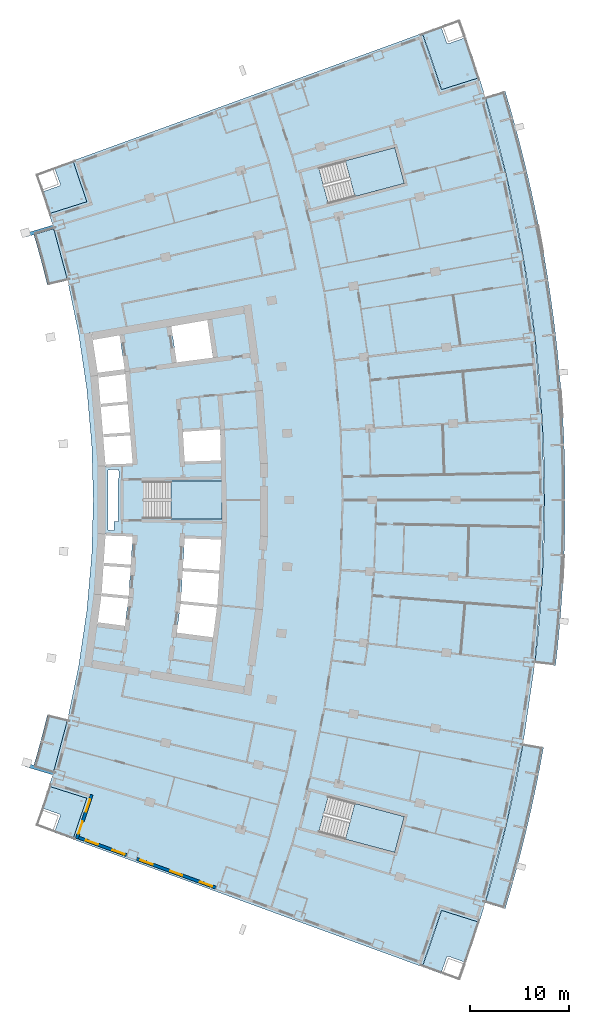
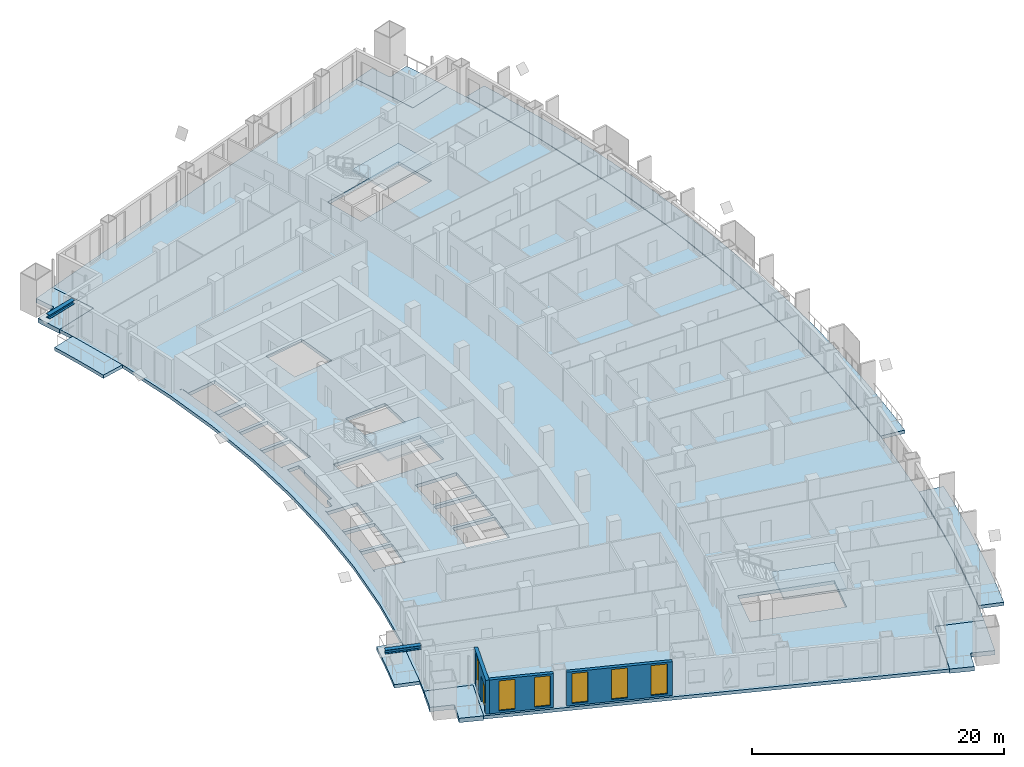
# One storey, part 12 of 25: 12 slabs, 6 windows, 3 walls, 2 members, 1 door, 7 openings, 3 elements without a shape of their own.
"""IFC4 building model written with IfcOpenShell, lengths in metres."""

from ifc_helpers import new_model, si_unit, direction, frame, frame_2d, origin, origin_2d, place, context, subcontext, project, spatial, polyline, rectangle, i_section, outline, extrude, material, layer, layer_set, material_profile, profile_set, type_object, element, fill, aggregate, save


model = new_model("IFC4")

# Units and contexts
model_context = context("Model", 3, precision=1e-05, world=origin(), true_north=direction((0.0, 1.0)))
body_context = subcontext(model_context, "Body", "Model", "MODEL_VIEW")
ifc_project = project(units=[si_unit("LENGTHUNIT", "METRE"), si_unit("AREAUNIT", "SQUARE_METRE"), si_unit("VOLUMEUNIT", "CUBIC_METRE"), si_unit("PLANEANGLEUNIT", "RADIAN"), si_unit("MASSUNIT", "GRAM", prefix="KILO")], contexts=[model_context])

# Site, building, storey
site_placement = place(None, origin())
site = spatial("IfcSite", under=ifc_project, at=site_placement, CompositionType="ELEMENT")
building_placement = place(site_placement, origin())
building = spatial("IfcBuilding", under=site, at=building_placement, Name="Alderwake Tower", CompositionType="ELEMENT")
storey_placement = place(building_placement, frame((0.0, 0.0, 111.199951171875)))
storey = spatial("IfcBuildingStorey", under=building, at=storey_placement, Name="L27", CompositionType="ELEMENT", Elevation=111.199951171875)

# Members
ifc_material_1 = material(Name="Steel ASTM A992 Grade 50", Category="steel")
ifc_material_profile = material_profile(ifc_material_1, i_section(OverallWidth=0.3740234375, OverallDepth=0.372314453125, WebThickness=0.016357421875, FlangeThickness=0.026123046875, at=origin_2d()), Name="W14X132")
ifc_profile_set = profile_set([ifc_material_profile], Name="Steel ASTM A992 Grade 50")
member_type = type_object("IfcMemberType", Name="Brace node stub W14X132", PredefinedType="MEMBER", material=ifc_profile_set)
for number, where, z_axis, x_axis, name in (
    (1, (12.017333984375, 33.373779296875, 3.393798828125), (-0.957773588871, 0.287523481584, 0.0), (-0.287523481584, -0.957773588871, 0.0), "Brace node stub BS.RR02-C0.1148"),
    (2, (12.017333984375, 88.626220703125, 3.393798828125), (-0.957773588871, -0.287523481584, 0.0), (0.287523481584, -0.957773588871, 0.0), "Brace node stub BS.RR12-C0.1148"),
):
    element("IfcMember", number, at=place(storey_placement, frame(where, z_axis=z_axis, x_axis=x_axis)), inside=storey, type_object=member_type, Name=name, PredefinedType="MEMBER", context=body_context, shape_type="SweptSolid", body=[
        extrude(i_section(OverallWidth=0.3740234375, OverallDepth=0.372314453125, WebThickness=0.016357421875, FlangeThickness=0.026123046875, at=origin_2d()), origin(), (0.0, 0.0, 1.0), 2.93359375),
    ])

# Slabs
ifc_material_2 = material(Name="Concrete C50/60", Category="concrete")
ifc_layer_1 = layer(ifc_material_2, 0.320068359375)
ifc_layer_set_1 = layer_set([ifc_layer_1], Name="Balcony slab 320")
slab_type_1 = type_object("IfcSlabType", Name="Balcony slab 320", PredefinedType="FLOOR", material=ifc_layer_set_1)
slab_1_placement = place(storey_placement, frame((0.0, 0.0, -0.320068359375)))
element("IfcSlab", 3, at=slab_1_placement, inside=storey, type_object=slab_type_1, Name="Balcony BF02", PredefinedType="FLOOR", context=body_context, shape_type="SweptSolid", body=[
    extrude(outline(polyline([(58.77734375, 23.71044921875), (59.306396484375, 25.73828125), (59.805908203125, 27.7734375), (60.275634765625, 29.815673828125), (60.71533203125, 31.86474609375), (61.125244140625, 33.919921875), (61.505126953125, 35.980712890625), (59.437255859375, 36.34619140625), (59.06298828125, 34.3154296875), (58.658935546875, 32.290283203125), (58.2255859375, 30.271484375), (57.7626953125, 28.259033203125), (57.270751953125, 26.25341796875), (56.74951171875, 24.25537109375), (56.198974609375, 22.26513671875), (55.61962890625, 20.283203125), (57.631103515625, 19.67919921875), (58.218994140625, 21.690673828125), (58.77734375, 23.71044921875)])), origin(), (0.0, 0.0, 1.0), 0.320068359375),
])
slab_2_placement = place(storey_placement, frame((0.0, 0.0, -0.320068359375)))
element("IfcSlab", 4, at=slab_2_placement, inside=storey, type_object=slab_type_1, Name="Balcony BF05", PredefinedType="FLOOR", context=body_context, shape_type="SweptSolid", body=[
    extrude(outline(polyline([(62.951904296875, 46.356201171875), (63.150146484375, 48.4423828125), (63.318115234375, 50.53125), (63.45556640625, 52.622314453125), (63.5625, 54.715087890625), (63.638916015625, 56.809326171875), (63.684814453125, 58.904296875), (63.699951171875, 61.0), (63.684814453125, 63.095703125), (63.638916015625, 65.190673828125), (63.5625, 67.284912109375), (63.45556640625, 69.377685546875), (63.318115234375, 71.46875), (63.150146484375, 73.5576171875), (62.951904296875, 75.643798828125), (62.72314453125, 77.72705078125), (62.464111328125, 79.806396484375), (62.174560546875, 81.882080078125), (61.85498046875, 83.953125), (61.505126953125, 86.019287109375), (61.125244140625, 88.080078125), (60.71533203125, 90.13525390625), (60.275634765625, 92.184326171875), (59.805908203125, 94.2265625), (59.306396484375, 96.26171875), (58.77734375, 98.28955078125), (58.218994140625, 100.309326171875), (57.631103515625, 102.32080078125), (55.61962890625, 101.716796875), (56.198974609375, 99.73486328125), (56.74951171875, 97.74462890625), (57.270751953125, 95.74658203125), (57.7626953125, 93.740966796875), (58.2255859375, 91.728515625), (58.658935546875, 89.709716796875), (59.06298828125, 87.6845703125), (59.437255859375, 85.65380859375), (59.781982421875, 83.61767578125), (60.096923828125, 81.576904296875), (60.382080078125, 79.53173828125), (60.637451171875, 77.482421875), (60.86279296875, 75.429931640625), (61.058349609375, 73.374267578125), (61.2236328125, 71.31591796875), (61.359130859375, 69.25537109375), (61.464599609375, 67.193115234375), (61.539794921875, 65.12939453125), (61.5849609375, 63.06494140625), (61.60009765625, 61.0), (61.5849609375, 58.93505859375), (61.539794921875, 56.87060546875), (61.464599609375, 54.806884765625), (61.359130859375, 52.74462890625), (61.2236328125, 50.68408203125), (61.058349609375, 48.625732421875), (60.86279296875, 46.570068359375), (60.637451171875, 44.517578125), (62.72314453125, 44.27294921875), (62.951904296875, 46.356201171875)])), origin(), (0.0, 0.0, 1.0), 0.320068359375),
])
slab_3_placement = place(storey_placement, frame((0.0, 0.0, -0.320068359375)))
element("IfcSlab", 5, at=slab_3_placement, inside=storey, type_object=slab_type_1, Name="Balcony BR02", PredefinedType="FLOOR", context=body_context, shape_type="SweptSolid", body=[
    extrude(outline(polyline([(9.93408203125, 33.999267578125), (11.945556640625, 33.395263671875), (13.3984375, 38.802734375), (11.35546875, 39.288330078125), (11.029052734375, 37.95849609375), (10.683349609375, 36.63330078125), (10.318359375, 35.3134765625), (9.93408203125, 33.999267578125)])), origin(), (0.0, 0.0, 1.0), 0.320068359375),
])
slab_4_placement = place(storey_placement, frame((0.0, 0.0, -0.320068359375)))
element("IfcSlab", 6, at=slab_4_placement, inside=storey, type_object=slab_type_1, Name="Balcony BR11", PredefinedType="FLOOR", context=body_context, shape_type="SweptSolid", body=[
    extrude(outline(polyline([(11.35546875, 82.711669921875), (13.3984375, 83.197265625), (11.945556640625, 88.604736328125), (9.93408203125, 88.000732421875), (10.318359375, 86.6865234375), (10.683349609375, 85.36669921875), (11.029052734375, 84.04150390625), (11.35546875, 82.711669921875)])), origin(), (0.0, 0.0, 1.0), 0.320068359375),
])
ifc_material_3 = material(Name="Concrete C50/60", Category="concrete")
ifc_layer_2 = layer(ifc_material_3, 0.320068359375)
ifc_layer_set_2 = layer_set([ifc_layer_2], Name="Concrete C50/60 post-tensioned flat plate 320")
slab_type_2 = type_object("IfcSlabType", Name="Concrete C50/60 post-tensioned flat plate 320", PredefinedType="FLOOR", material=ifc_layer_set_2)
slab_5_placement = place(storey_placement, frame((0.0, 0.0, -0.320068359375)))
element("IfcSlab", 7, at=slab_5_placement, inside=storey, type_object=slab_type_2, Name="Floor slab L27", PredefinedType="FLOOR", context=body_context, shape_type="SweptSolid", body=[
    extrude(outline(polyline([(11.533203125, 32.057373046875), (11.945556640625, 33.395263671875), (13.3984375, 38.802734375), (14.53369140625, 44.28564453125), (15.347412109375, 49.825439453125), (15.836669921875, 55.4033203125), (16.0, 61.0), (15.836669921875, 66.5966796875), (15.347412109375, 72.174560546875), (14.53369140625, 77.71435546875), (13.3984375, 83.197265625), (11.945556640625, 88.604736328125), (11.533203125, 89.942626953125), (15.34716796875, 91.1484375), (13.937255859375, 95.289794921875), (49.2578125, 108.1826171875), (51.197509765625, 102.484375), (55.011474609375, 103.690185546875), (55.61962890625, 101.716796875), (57.7626953125, 93.740966796875), (59.437255859375, 85.65380859375), (60.637451171875, 77.482421875), (61.359130859375, 69.25537109375), (61.60009765625, 61.0), (61.359130859375, 52.74462890625), (60.637451171875, 44.517578125), (59.437255859375, 36.34619140625), (57.7626953125, 28.259033203125), (55.61962890625, 20.283203125), (55.011474609375, 18.309814453125), (51.197509765625, 19.515625), (49.2578125, 13.8173828125), (13.937255859375, 26.710205078125), (15.34716796875, 30.8515625), (11.533203125, 32.057373046875)]), holes=[polyline([(16.84375, 51.279541015625), (16.8583984375, 51.4287109375), (16.873291015625, 51.577880859375), (19.574951171875, 51.31103515625), (19.76611328125, 54.161376953125), (17.0537109375, 54.34326171875), (17.06396484375, 54.492919921875), (17.073974609375, 54.642578125), (19.7861328125, 54.460693359375), (19.977294921875, 57.31103515625), (17.263916015625, 57.406982421875), (17.269287109375, 57.556884765625), (17.2392578125, 57.55810546875), (17.033935546875, 54.494873046875), (16.82861328125, 51.431640625), (16.82861328125, 51.431640625), (16.41015625, 48.39013671875), (16.43994140625, 48.38623046875), (16.472412109375, 48.63427734375), (19.18017578125, 48.280029296875), (19.545166015625, 51.012451171875), (16.84375, 51.279541015625)]), polyline([(29.0, 62.875), (21.050048828125, 62.875), (21.050048828125, 59.125), (29.0, 59.125), (29.0, 62.875)]), polyline([(19.738525390625, 67.5361328125), (17.02587890625, 67.354248046875), (17.015869140625, 67.50390625), (17.005859375, 67.653564453125), (19.7138671875, 67.835205078125), (19.47802734375, 70.679443359375), (16.777099609375, 70.41259765625), (16.76220703125, 70.561767578125), (16.74755859375, 70.7109375), (19.453125, 70.978515625), (19.2255859375, 73.725830078125), (16.541015625, 73.374755859375), (16.508544921875, 73.62255859375), (16.47607421875, 73.87060546875), (19.16796875, 74.22265625), (18.656982421875, 77.6376953125), (18.90283203125, 77.674560546875), (18.900146484375, 77.690673828125), (15.96826171875, 77.183837890625), (15.836669921875, 77.94482421875), (15.58544921875, 77.900390625), (15.586181640625, 77.896484375), (15.8154296875, 77.931884765625), (16.478515625, 73.61865234375), (16.47900390625, 73.61376953125), (16.732421875, 70.558837890625), (16.98583984375, 67.501953125), (17.239501953125, 64.4443359375), (17.239501953125, 64.44189453125), (17.269287109375, 64.443115234375), (17.263916015625, 64.593017578125), (19.974609375, 64.68896484375), (19.738525390625, 67.5361328125)]), polyline([(47.436279296875, 28.996826171875), (39.754150390625, 31.043212890625), (38.7890625, 27.41943359375), (46.47119140625, 25.373291015625), (47.436279296875, 28.996826171875)]), polyline([(24.82470703125, 50.49072265625), (24.8291015625, 50.534423828125), (24.825439453125, 50.534912109375), (24.43212890625, 47.59326171875), (28.095703125, 47.114013671875), (28.497802734375, 50.127685546875), (24.82470703125, 50.49072265625)]), polyline([(25.031005859375, 53.808349609375), (24.84521484375, 50.735595703125), (24.848876953125, 50.7353515625), (24.854248046875, 50.789306640625), (28.5341796875, 50.42578125), (28.719970703125, 53.56103515625), (25.031005859375, 53.808349609375)]), polyline([(28.92333984375, 56.994384765625), (25.2314453125, 57.125), (25.049072265625, 54.10791015625), (28.737548828125, 53.860595703125), (28.92333984375, 56.994384765625)]), polyline([(28.819091796875, 68.089599609375), (28.814697265625, 68.14453125), (25.05126953125, 67.892333984375), (25.232177734375, 64.875), (28.887451171875, 65.00439453125), (28.819091796875, 68.089599609375)]), polyline([(28.09619140625, 75.390380859375), (27.523193359375, 79.181396484375), (23.877685546875, 78.551025390625), (24.427001953125, 74.915283203125), (24.368896484375, 74.90673828125), (24.36962890625, 74.90283203125), (28.09619140625, 75.390380859375)]), polyline([(46.47119140625, 96.626708984375), (38.7890625, 94.58056640625), (39.754150390625, 90.956787109375), (47.436279296875, 93.003173828125), (46.47119140625, 96.626708984375)]), polyline([(17.489501953125, 64.050537109375), (17.4892578125, 57.949462890625), (18.065673828125, 57.928955078125), (18.090576171875, 58.84326171875), (18.544189453125, 58.8310546875), (18.529296875, 58.8681640625), (18.5234375, 58.89208984375), (18.5185546875, 58.94091796875), (18.5185546875, 63.060302734375), (18.5234375, 63.109130859375), (18.53759765625, 63.156005859375), (18.560791015625, 63.19921875), (18.588623046875, 63.233642578125), (18.565185546875, 64.088623046875), (17.489501953125, 64.050537109375)])]), origin(), (0.0, 0.0, 1.0), 0.320068359375),
])

# Stair, slab
ifc_material_4 = material(Name="Concrete C40/50", Category="concrete")
stair_type = type_object("IfcStairType", Name="Core exit stair", PredefinedType="HALF_TURN_STAIR", material=ifc_material_4)
stair_1_placement = place(storey_placement, origin())
stair_1 = element("IfcStair", 8, at=stair_1_placement, inside=storey, type_object=stair_type, Name="L27 Exit Stair B", PredefinedType="HALF_TURN_STAIR")
ifc_material_5 = material(Name="Concrete C40/50", Category="concrete")
ifc_layer_3 = layer(ifc_material_5, 0.199951171875)
ifc_layer_set_3 = layer_set([ifc_layer_3], Name="Core stair landing 200")
slab_type_3 = type_object("IfcSlabType", Name="Core stair landing 200", PredefinedType="LANDING", material=ifc_layer_set_3)
slab_6_placement = place(storey_placement, frame((0.0, 0.0, 1.60009765625)))
slab_6 = element("IfcSlab", 9, at=slab_6_placement, type_object=slab_type_3, Name="ST-B landing 1", PredefinedType="LANDING", context=body_context, shape_type="SweptSolid", body=[
    extrude(outline(polyline([(23.830078125, 59.074951171875), (29.0, 59.074951171875), (29.0, 62.925048828125), (23.830078125, 62.925048828125), (23.830078125, 59.074951171875)])), origin(), (0.0, 0.0, 1.0), 0.199951171875),
])
aggregate(stair_1, [slab_6])

stair_2_placement = place(storey_placement, origin())
stair_2 = element("IfcStair", 10, at=stair_2_placement, inside=storey, type_object=stair_type, Name="L27 Exit Stair A", PredefinedType="HALF_TURN_STAIR")
slab_7_placement = place(storey_placement, frame((0.0, 0.0, 1.60009765625)))
slab_7 = element("IfcSlab", 11, at=slab_7_placement, type_object=slab_type_3, Name="ST-A landing 1", PredefinedType="LANDING", context=body_context, shape_type="SweptSolid", body=[
    extrude(outline(polyline([(42.440673828125, 91.67236328125), (47.436279296875, 93.003173828125), (46.47119140625, 96.626708984375), (41.475341796875, 95.296142578125), (42.440673828125, 91.67236328125)])), origin(), (0.0, 0.0, 1.0), 0.199951171875),
])
aggregate(stair_2, [slab_7])

stair_3_placement = place(storey_placement, origin())
stair_3 = element("IfcStair", 12, at=stair_3_placement, inside=storey, type_object=stair_type, Name="L27 Exit Stair C", PredefinedType="HALF_TURN_STAIR")
slab_8_placement = place(storey_placement, frame((0.0, 0.0, 1.60009765625)))
slab_8 = element("IfcSlab", 13, at=slab_8_placement, type_object=slab_type_3, Name="ST-C landing 1", PredefinedType="LANDING", context=body_context, shape_type="SweptSolid", body=[
    extrude(outline(polyline([(41.475341796875, 26.703857421875), (46.47119140625, 25.373291015625), (47.436279296875, 28.996826171875), (42.4404296875, 30.32763671875), (41.475341796875, 26.703857421875)])), origin(), (0.0, 0.0, 1.0), 0.199951171875),
])
aggregate(stair_3, [slab_8])

# Slabs
ifc_material_6 = material(Name="Concrete C50/60", Category="concrete")
ifc_layer_4 = layer(ifc_material_6, 0.419921875)
ifc_layer_set_4 = layer_set([ifc_layer_4], Name="Terrace slab 420")
slab_type_4 = type_object("IfcSlabType", Name="Terrace slab 420", PredefinedType="FLOOR", material=ifc_layer_set_4)
slab_9_placement = place(storey_placement, frame((0.0, 0.0, -0.419921875)))
element("IfcSlab", 14, at=slab_9_placement, inside=storey, type_object=slab_type_4, Name="Corner terrace FS", PredefinedType="FLOOR", context=body_context, shape_type="SweptSolid", body=[
    extrude(outline(polyline([(53.708984375, 14.390625), (53.65478515625, 14.23876953125), (51.91748046875, 14.860595703125), (51.9033203125, 14.86474609375), (51.888916015625, 14.86767578125), (51.874267578125, 14.869140625), (51.859619140625, 14.869140625), (51.844970703125, 14.86767578125), (51.830322265625, 14.86474609375), (51.81640625, 14.860595703125), (51.802734375, 14.85498046875), (51.789794921875, 14.847900390625), (51.777587890625, 14.839599609375), (51.76611328125, 14.830322265625), (51.755859375, 14.820068359375), (51.746337890625, 14.80859375), (51.73828125, 14.79638671875), (51.731201171875, 14.783447265625), (51.7255859375, 14.769775390625), (51.15283203125, 13.169189453125), (51.148681640625, 13.155029296875), (51.145751953125, 13.140625), (51.14453125, 13.12841796875), (49.2578125, 13.8173828125), (49.931884765625, 15.707275390625), (50.57861328125, 17.606689453125), (51.197509765625, 19.515625), (55.011474609375, 18.309814453125), (54.37451171875, 16.345458984375), (53.708984375, 14.390625)])), origin(), (0.0, 0.0, 1.0), 0.419921875),
])
slab_10_placement = place(storey_placement, frame((0.0, 0.0, -0.419921875)))
element("IfcSlab", 15, at=slab_10_placement, inside=storey, type_object=slab_type_4, Name="Corner terrace RS", PredefinedType="FLOOR", context=body_context, shape_type="SweptSolid", body=[
    extrude(outline(polyline([(13.937255859375, 26.710205078125), (12.04931640625, 27.3994140625), (12.0537109375, 27.40380859375), (12.06298828125, 27.4150390625), (12.071044921875, 27.427490234375), (12.077880859375, 27.4404296875), (12.08349609375, 27.4541015625), (12.651611328125, 29.056396484375), (12.65576171875, 29.0703125), (12.65869140625, 29.084716796875), (12.66015625, 29.099609375), (12.659912109375, 29.1142578125), (12.658447265625, 29.12890625), (12.655517578125, 29.143310546875), (12.6513671875, 29.157470703125), (12.6455078125, 29.1708984375), (12.638671875, 29.183837890625), (12.63037109375, 29.196044921875), (12.62109375, 29.20751953125), (12.610595703125, 29.218017578125), (12.59912109375, 29.227294921875), (12.5869140625, 29.2353515625), (12.573974609375, 29.2421875), (12.560302734375, 29.247802734375), (10.8095703125, 29.868408203125), (11.101318359375, 30.7255859375), (11.533203125, 32.057373046875), (15.34716796875, 30.8515625), (13.937255859375, 26.710205078125)])), origin(), (0.0, 0.0, 1.0), 0.419921875),
])
slab_11_placement = place(storey_placement, frame((0.0, 0.0, -0.419921875)))
element("IfcSlab", 16, at=slab_11_placement, inside=storey, type_object=slab_type_4, Name="Corner terrace FN", PredefinedType="FLOOR", context=body_context, shape_type="SweptSolid", body=[
    extrude(outline(polyline([(53.708984375, 107.609375), (54.37451171875, 105.654541015625), (55.011474609375, 103.690185546875), (51.197509765625, 102.484375), (50.57861328125, 104.393310546875), (49.931884765625, 106.292724609375), (49.2578125, 108.1826171875), (51.14453125, 108.87158203125), (51.145751953125, 108.859375), (51.148681640625, 108.844970703125), (51.15283203125, 108.830810546875), (51.7255859375, 107.230224609375), (51.731201171875, 107.216552734375), (51.73828125, 107.20361328125), (51.746337890625, 107.19140625), (51.755859375, 107.179931640625), (51.76611328125, 107.169677734375), (51.777587890625, 107.160400390625), (51.789794921875, 107.152099609375), (51.802734375, 107.14501953125), (51.81640625, 107.139404296875), (51.830322265625, 107.13525390625), (51.844970703125, 107.13232421875), (51.859619140625, 107.130859375), (51.874267578125, 107.130859375), (51.888916015625, 107.13232421875), (51.9033203125, 107.13525390625), (51.91748046875, 107.139404296875), (53.65478515625, 107.76123046875), (53.708984375, 107.609375)])), origin(), (0.0, 0.0, 1.0), 0.419921875),
])
slab_12_placement = place(storey_placement, frame((0.0, 0.0, -0.419921875)))
element("IfcSlab", 17, at=slab_12_placement, inside=storey, type_object=slab_type_4, Name="Corner terrace RN", PredefinedType="FLOOR", context=body_context, shape_type="SweptSolid", body=[
    extrude(outline(polyline([(10.8095703125, 92.131591796875), (12.560302734375, 92.752197265625), (12.573974609375, 92.7578125), (12.5869140625, 92.7646484375), (12.59912109375, 92.772705078125), (12.610595703125, 92.781982421875), (12.62109375, 92.79248046875), (12.63037109375, 92.803955078125), (12.638671875, 92.816162109375), (12.6455078125, 92.8291015625), (12.6513671875, 92.842529296875), (12.655517578125, 92.856689453125), (12.658447265625, 92.87109375), (12.659912109375, 92.8857421875), (12.66015625, 92.900390625), (12.65869140625, 92.915283203125), (12.65576171875, 92.9296875), (12.651611328125, 92.943603515625), (12.08349609375, 94.5458984375), (12.077880859375, 94.5595703125), (12.071044921875, 94.572509765625), (12.06298828125, 94.5849609375), (12.0537109375, 94.59619140625), (12.04931640625, 94.6005859375), (13.937255859375, 95.289794921875), (15.34716796875, 91.1484375), (11.533203125, 89.942626953125), (11.101318359375, 91.2744140625), (10.8095703125, 92.131591796875)])), origin(), (0.0, 0.0, 1.0), 0.419921875),
])

# Wall, openings, door, window
ifc_material_7 = material(Name="Bronze metal cladding on lightweight framing")
ifc_layer_5 = layer(ifc_material_7, 0.300048828125)
ifc_layer_set_5 = layer_set([ifc_layer_5], Name="External wall EW2 bronze metal cladding")
wall_type = type_object("IfcWallType", Name="External wall EW2 bronze metal cladding", PredefinedType="SOLIDWALL", material=ifc_layer_set_5)
wall_1_placement = place(storey_placement, frame((15.83740234375, 31.220703125, 0.0), z_axis=(0.0, 0.0, 1.0), x_axis=(-0.32041006121, -0.947278941324, 0.0)))
wall_1 = element("IfcWall", 18, at=wall_1_placement, inside=storey, type_object=wall_type, Name="External wall 3", PredefinedType="SOLIDWALL", context=body_context, shape_type="SweptSolid", body=[
    extrude(rectangle(XDim=4.68994140625, YDim=0.300048828125, at=frame_2d((2.344970703125, 0.0))), origin(), (0.0, 0.0, 1.0), 3.280029296875),
])
opening_1_placement = place(wall_1_placement, frame((0.5224609375, 0.0, 0.199951171875)))
opening_1 = element("IfcOpeningElement", 19, at=opening_1_placement, cuts=wall_1, Name="Opening W1", PredefinedType="OPENING", context=body_context, shape_type="SweptSolid", body=[
    extrude(rectangle(XDim=1.300048828125, YDim=2.89990234375, at=frame_2d((0.64990234375, 1.449951171875))), frame((0.0, 0.159912109375, 0.0), z_axis=(0.0, -1.0, 0.0), x_axis=(1.0, 0.0, 0.0)), (0.0, 0.0, 1.0), 0.320068359375),
])
opening_2_placement = place(wall_1_placement, frame((2.867431640625, 0.0, 0.0)))
opening_2 = element("IfcOpeningElement", 20, at=opening_2_placement, cuts=wall_1, Name="Opening D01", PredefinedType="OPENING", context=body_context, shape_type="SweptSolid", body=[
    extrude(rectangle(XDim=1.300048828125, YDim=2.39990234375, at=frame_2d((0.64990234375, 1.199951171875))), frame((0.0, 0.159912109375, 0.0), z_axis=(0.0, -1.0, 0.0), x_axis=(1.0, 0.0, 0.0)), (0.0, 0.0, 1.0), 0.320068359375),
])
ifc_material_8 = material(Name="Bronze tinted glass in aluminium frame", Category="aluminium")
door_type = type_object("IfcDoorType", Name="Balcony door BD sliding", OperationType="SLIDING_TO_LEFT", PredefinedType="DOOR", material=ifc_material_8)
door_placement = place(opening_2_placement, origin())
door = element("IfcDoor", 21, at=door_placement, inside=storey, type_object=door_type, Name="Door D01", OperationType="SLIDING_TO_LEFT", OverallHeight=2.39990234375, OverallWidth=1.300048828125, PredefinedType="DOOR", context=body_context, shape_type="SweptSolid", body=[
    extrude(rectangle(XDim=1.300048828125, YDim=2.39990234375, at=frame_2d((0.64990234375, 1.199951171875))), frame((0.0, 0.02490234375, 0.0), z_axis=(0.0, -1.0, 0.0), x_axis=(1.0, 0.0, 0.0)), (0.0, 0.0, 1.0), 0.050048828125),
])
fill(opening_2, door)
ifc_material_9 = material(Name="Bronze tinted glass in aluminium frame", Category="aluminium")
window_type = type_object("IfcWindowType", Name="Window W1 tall fixed and vent", PartitioningType="DOUBLE_PANEL_VERTICAL", PredefinedType="WINDOW", material=ifc_material_9)
window_1_placement = place(opening_1_placement, origin())
window_1 = element("IfcWindow", 22, at=window_1_placement, inside=storey, type_object=window_type, Name="Window W1 tall fixed and vent", OverallHeight=2.89990234375, OverallWidth=1.300048828125, PartitioningType="DOUBLE_PANEL_VERTICAL", PredefinedType="WINDOW", context=body_context, shape_type="SweptSolid", body=[
    extrude(rectangle(XDim=1.300048828125, YDim=2.89990234375, at=frame_2d((0.64990234375, 1.449951171875))), frame((0.0, 0.030029296875, 0.0), z_axis=(0.0, -1.0, 0.0), x_axis=(1.0, 0.0, 0.0)), (0.0, 0.0, 1.0), 0.06005859375),
])
fill(opening_1, window_1)

# Wall, openings, windows
wall_2_placement = place(storey_placement, frame((14.523681640625, 26.86865234375, 0.0), z_axis=(0.0, 0.0, 1.0), x_axis=(0.939378067131, -0.342883138974, 0.0)))
wall_2 = element("IfcWall", 23, at=wall_2_placement, inside=storey, type_object=wall_type, Name="External wall 4", PredefinedType="SOLIDWALL", context=body_context, shape_type="SweptSolid", body=[
    extrude(rectangle(XDim=5.17431640625, YDim=0.300048828125, at=frame_2d((2.587158203125, 0.0))), origin(), (0.0, 0.0, 1.0), 3.280029296875),
])
opening_3_placement = place(wall_2_placement, frame((0.775390625, 0.0, 0.199951171875)))
opening_3 = element("IfcOpeningElement", 24, at=opening_3_placement, cuts=wall_2, Name="Opening W1", PredefinedType="OPENING", context=body_context, shape_type="SweptSolid", body=[
    extrude(rectangle(XDim=1.300048828125, YDim=2.89990234375, at=frame_2d((0.64990234375, 1.449951171875))), frame((0.0, 0.159912109375, 0.0), z_axis=(0.0, -1.0, 0.0), x_axis=(1.0, 0.0, 0.0)), (0.0, 0.0, 1.0), 0.320068359375),
])
opening_4_placement = place(wall_2_placement, frame((3.626220703125, 0.0, 0.199951171875)))
opening_4 = element("IfcOpeningElement", 25, at=opening_4_placement, cuts=wall_2, Name="Opening W1", PredefinedType="OPENING", context=body_context, shape_type="SweptSolid", body=[
    extrude(rectangle(XDim=1.300048828125, YDim=2.89990234375, at=frame_2d((0.64990234375, 1.449951171875))), frame((0.0, 0.159912109375, 0.0), z_axis=(0.0, -1.0, 0.0), x_axis=(1.0, 0.0, 0.0)), (0.0, 0.0, 1.0), 0.320068359375),
])
window_2_placement = place(opening_3_placement, origin())
window_2 = element("IfcWindow", 26, at=window_2_placement, inside=storey, type_object=window_type, Name="Window W1 tall fixed and vent", OverallHeight=2.89990234375, OverallWidth=1.300048828125, PartitioningType="DOUBLE_PANEL_VERTICAL", PredefinedType="WINDOW", context=body_context, shape_type="SweptSolid", body=[
    extrude(rectangle(XDim=1.300048828125, YDim=2.89990234375, at=frame_2d((0.64990234375, 1.449951171875))), frame((0.0, 0.030029296875, 0.0), z_axis=(0.0, -1.0, 0.0), x_axis=(1.0, 0.0, 0.0)), (0.0, 0.0, 1.0), 0.06005859375),
])
fill(opening_3, window_2)
window_3_placement = place(opening_4_placement, origin())
window_3 = element("IfcWindow", 27, at=window_3_placement, inside=storey, type_object=window_type, Name="Window W1 tall fixed and vent", OverallHeight=2.89990234375, OverallWidth=1.300048828125, PartitioningType="DOUBLE_PANEL_VERTICAL", PredefinedType="WINDOW", context=body_context, shape_type="SweptSolid", body=[
    extrude(rectangle(XDim=1.300048828125, YDim=2.89990234375, at=frame_2d((0.64990234375, 1.449951171875))), frame((0.0, 0.030029296875, 0.0), z_axis=(0.0, -1.0, 0.0), x_axis=(1.0, 0.0, 0.0)), (0.0, 0.0, 1.0), 0.06005859375),
])
fill(opening_4, window_3)

wall_3_placement = place(storey_placement, frame((20.375244140625, 24.73291015625, 0.0), z_axis=(0.0, 0.0, 1.0), x_axis=(0.939364770023, -0.342919566137, 0.0)))
wall_3 = element("IfcWall", 28, at=wall_3_placement, inside=storey, type_object=wall_type, Name="External wall 5", PredefinedType="SOLIDWALL", context=body_context, shape_type="SweptSolid", body=[
    extrude(rectangle(XDim=8.54541015625, YDim=0.300048828125, at=frame_2d((4.272705078125, 0.0))), origin(), (0.0, 0.0, 1.0), 3.280029296875),
])
opening_5_placement = place(wall_3_placement, frame((0.422607421875, 0.0, 0.199951171875)))
opening_5 = element("IfcOpeningElement", 29, at=opening_5_placement, cuts=wall_3, Name="Opening W1", PredefinedType="OPENING", context=body_context, shape_type="SweptSolid", body=[
    extrude(rectangle(XDim=1.300048828125, YDim=2.89990234375, at=frame_2d((0.64990234375, 1.449951171875))), frame((0.0, 0.159912109375, 0.0), z_axis=(0.0, -1.0, 0.0), x_axis=(1.0, 0.0, 0.0)), (0.0, 0.0, 1.0), 0.320068359375),
])
opening_6_placement = place(wall_3_placement, frame((3.622802734375, 0.0, 0.199951171875)))
opening_6 = element("IfcOpeningElement", 30, at=opening_6_placement, cuts=wall_3, Name="Opening W1", PredefinedType="OPENING", context=body_context, shape_type="SweptSolid", body=[
    extrude(rectangle(XDim=1.300048828125, YDim=2.89990234375, at=frame_2d((0.64990234375, 1.449951171875))), frame((0.0, 0.159912109375, 0.0), z_axis=(0.0, -1.0, 0.0), x_axis=(1.0, 0.0, 0.0)), (0.0, 0.0, 1.0), 0.320068359375),
])
opening_7_placement = place(wall_3_placement, frame((6.82275390625, 0.0, 0.199951171875)))
opening_7 = element("IfcOpeningElement", 31, at=opening_7_placement, cuts=wall_3, Name="Opening W1", PredefinedType="OPENING", context=body_context, shape_type="SweptSolid", body=[
    extrude(rectangle(XDim=1.300048828125, YDim=2.89990234375, at=frame_2d((0.64990234375, 1.449951171875))), frame((0.0, 0.159912109375, 0.0), z_axis=(0.0, -1.0, 0.0), x_axis=(1.0, 0.0, 0.0)), (0.0, 0.0, 1.0), 0.320068359375),
])
window_4_placement = place(opening_5_placement, origin())
window_4 = element("IfcWindow", 32, at=window_4_placement, inside=storey, type_object=window_type, Name="Window W1 tall fixed and vent", OverallHeight=2.89990234375, OverallWidth=1.300048828125, PartitioningType="DOUBLE_PANEL_VERTICAL", PredefinedType="WINDOW", context=body_context, shape_type="SweptSolid", body=[
    extrude(rectangle(XDim=1.300048828125, YDim=2.89990234375, at=frame_2d((0.64990234375, 1.449951171875))), frame((0.0, 0.030029296875, 0.0), z_axis=(0.0, -1.0, 0.0), x_axis=(1.0, 0.0, 0.0)), (0.0, 0.0, 1.0), 0.06005859375),
])
fill(opening_5, window_4)
window_5_placement = place(opening_6_placement, origin())
window_5 = element("IfcWindow", 33, at=window_5_placement, inside=storey, type_object=window_type, Name="Window W1 tall fixed and vent", OverallHeight=2.89990234375, OverallWidth=1.300048828125, PartitioningType="DOUBLE_PANEL_VERTICAL", PredefinedType="WINDOW", context=body_context, shape_type="SweptSolid", body=[
    extrude(rectangle(XDim=1.300048828125, YDim=2.89990234375, at=frame_2d((0.64990234375, 1.449951171875))), frame((0.0, 0.030029296875, 0.0), z_axis=(0.0, -1.0, 0.0), x_axis=(1.0, 0.0, 0.0)), (0.0, 0.0, 1.0), 0.06005859375),
])
fill(opening_6, window_5)
window_6_placement = place(opening_7_placement, origin())
window_6 = element("IfcWindow", 34, at=window_6_placement, inside=storey, type_object=window_type, Name="Window W1 tall fixed and vent", OverallHeight=2.89990234375, OverallWidth=1.300048828125, PartitioningType="DOUBLE_PANEL_VERTICAL", PredefinedType="WINDOW", context=body_context, shape_type="SweptSolid", body=[
    extrude(rectangle(XDim=1.300048828125, YDim=2.89990234375, at=frame_2d((0.64990234375, 1.449951171875))), frame((0.0, 0.030029296875, 0.0), z_axis=(0.0, -1.0, 0.0), x_axis=(1.0, 0.0, 0.0)), (0.0, 0.0, 1.0), 0.06005859375),
])
fill(opening_7, window_6)

save(model, "model.ifc")
